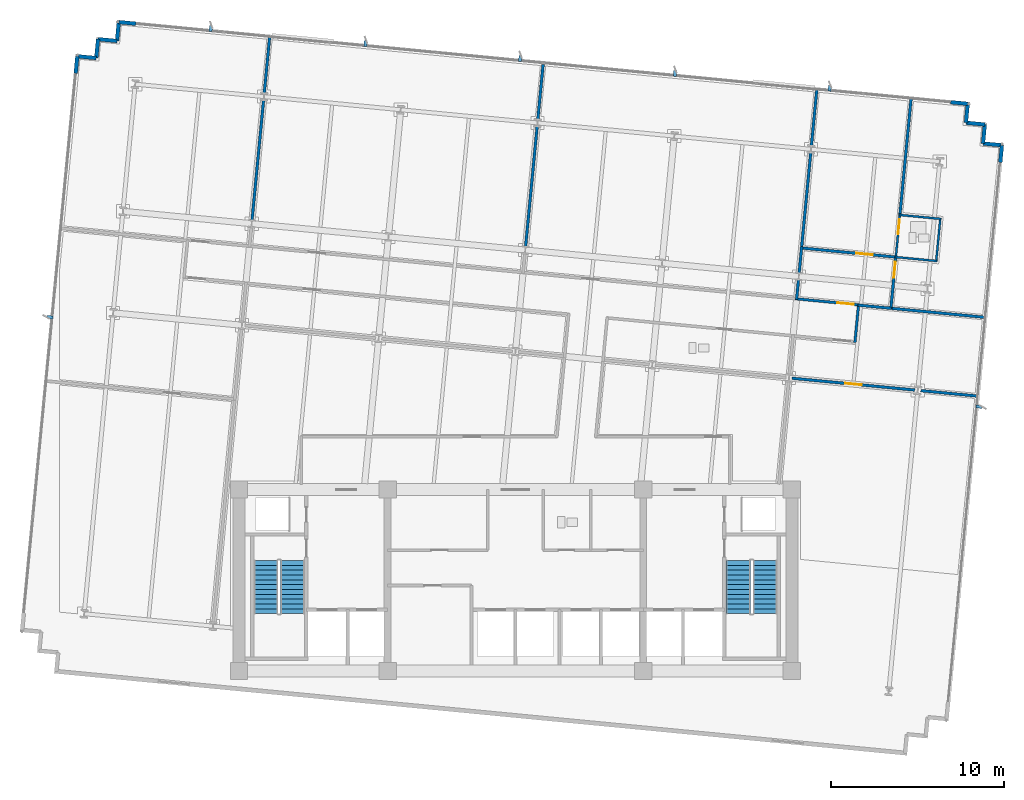
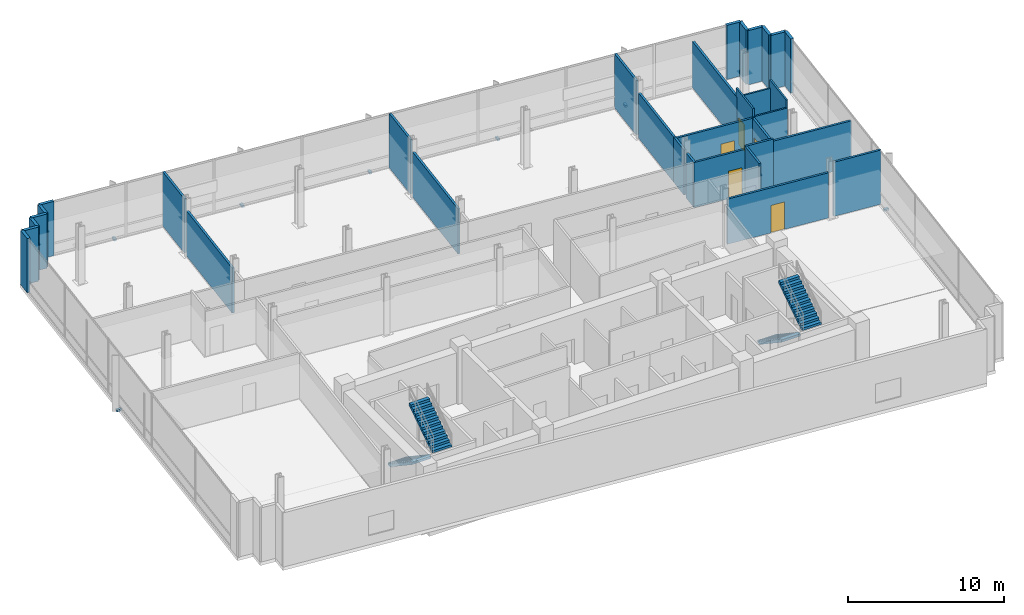
# One storey, part 13 of 17: 33 walls, 7 discrete accessories, 5 doors, 4 stair flights, 5 openings, 2 elements without a shape of their own.
"""IFC4 building model written with IfcOpenShell, lengths in metres."""

from ifc_helpers import new_model, si_unit, direction, frame, frame_2d, origin, origin_2d, place, context, subcontext, project, spatial, polyline, rectangle, outline, extrude, material, layer, layer_set, type_object, element, fill, aggregate, save


model = new_model("IFC4")

# Units and contexts
model_context = context("Model", 3, precision=1e-05, world=origin(), true_north=direction((0.0, 1.0)))
body_context = subcontext(model_context, "Body", "Model", "MODEL_VIEW")
ifc_project = project(units=[si_unit("LENGTHUNIT", "METRE"), si_unit("AREAUNIT", "SQUARE_METRE"), si_unit("VOLUMEUNIT", "CUBIC_METRE"), si_unit("PLANEANGLEUNIT", "RADIAN"), si_unit("MASSUNIT", "GRAM", prefix="KILO")], contexts=[model_context])

# Site, building, storey
site_placement = place(None, origin())
site = spatial("IfcSite", under=ifc_project, at=site_placement, CompositionType="ELEMENT")
building_placement = place(site_placement, origin())
building = spatial("IfcBuilding", under=site, at=building_placement, Name="Solmavex Isthmus Hotel", CompositionType="ELEMENT")
storey_placement = place(building_placement, frame((0.0, 0.0, 177.300048828125)))
storey = spatial("IfcBuildingStorey", under=building, at=storey_placement, Name="L48", CompositionType="ELEMENT", Elevation=177.300048828125)

# Walls
ifc_material_1 = material(Name="Precast Concrete C40/50", Category="concrete")
ifc_layer_1 = layer(ifc_material_1, 0.25)
ifc_layer_set_1 = layer_set([ifc_layer_1], Name="Precast Concrete C40/50")
wall_type_1 = type_object("IfcWallType", Name="EW-TWR-250", PredefinedType="STANDARD", material=ifc_layer_set_1)
wall_1_placement = place(storey_placement, frame((-25.46142578125, 21.60498046875, 0.0), z_axis=(0.0, 0.0, 1.0), x_axis=(0.095937974524, 0.995387314086, 0.0)))
element("IfcWall", 1, at=wall_1_placement, inside=storey, type_object=wall_type_1, Name="Serrated Corner Facade Panel L48-07", PredefinedType="STANDARD", context=body_context, shape_type="SweptSolid", body=[
    extrude(rectangle(XDim=0.989990234375, YDim=0.219970703125, at=frame_2d((0.4951171875, 0.0))), origin(), (0.0, 0.0, 1.0), 4.239990234375),
])
for number, where, z_axis, x_axis, name in (
    (2, (-25.366455078125, 22.59033203125, 0.0), (0.0, 0.0, 1.0), (0.995414313875, -0.095657429048, 0.0), "Serrated Corner Facade Panel L48-08"),
    (3, (-24.271484375, 22.485107421875, 0.0), (0.0, 0.0, 1.0), (0.095657429048, 0.995414313875, 0.0), "Serrated Corner Facade Panel L48-09"),
    (4, (-24.166259765625, 23.580078125, 0.0), (0.0, 0.0, 1.0), (0.995393156894, -0.095877334176, 0.0), "Serrated Corner Facade Panel L48-10"),
    (5, (-23.0712890625, 23.474609375, 0.0), (0.0, 0.0, 1.0), (0.095877334176, 0.995393156894, 0.0), "Serrated Corner Facade Panel L48-11"),
):
    element("IfcWall", number, at=place(storey_placement, frame(where, z_axis=z_axis, x_axis=x_axis)), inside=storey, type_object=wall_type_1, Name=name, PredefinedType="STANDARD", context=body_context, shape_type="SweptSolid", body=[
        extrude(rectangle(XDim=1.10009765625, YDim=0.219970703125, at=frame_2d((0.550048828125, 0.0))), origin(), (0.0, 0.0, 1.0), 4.239990234375),
    ])
for number, where, z_axis, x_axis, name in (
    (6, (-22.9658203125, 24.569580078125, 0.0), (0.0, 0.0, 1.0), (0.995387314086, -0.095937974524, 0.0), "Serrated Corner Facade Panel L48-12"),
    (7, (25.201416015625, 19.931396484375, 0.0), (0.0, 0.0, 1.0), (0.99541083642, -0.095693608655, 0.0), "Serrated Corner Facade Panel L48-14"),
):
    element("IfcWall", number, at=place(storey_placement, frame(where, z_axis=z_axis, x_axis=x_axis)), inside=storey, type_object=wall_type_1, Name=name, PredefinedType="STANDARD", context=body_context, shape_type="SweptSolid", body=[
        extrude(rectangle(XDim=0.989990234375, YDim=0.219970703125, at=frame_2d((0.4951171875, 0.0))), origin(), (0.0, 0.0, 1.0), 4.239990234375),
    ])
wall_2_placement = place(storey_placement, frame((26.186767578125, 19.836669921875, 0.0), z_axis=(0.0, 0.0, 1.0), x_axis=(-0.095657429048, -0.995414313875, 0.0)))
element("IfcWall", 8, at=wall_2_placement, inside=storey, type_object=wall_type_1, Name="Serrated Corner Facade Panel L48-15", PredefinedType="STANDARD", context=body_context, shape_type="SweptSolid", body=[
    extrude(rectangle(XDim=1.10009765625, YDim=0.219970703125, at=frame_2d((0.550048828125, 0.0))), origin(), (0.0, 0.0, 1.0), 4.239990234375),
])
wall_3_placement = place(storey_placement, frame((26.08154296875, 18.74169921875, 0.0), z_axis=(0.0, 0.0, 1.0), x_axis=(0.995391116058, -0.095898519656, 0.0)))
element("IfcWall", 9, at=wall_3_placement, inside=storey, type_object=wall_type_1, Name="Serrated Corner Facade Panel L48-16", PredefinedType="STANDARD", context=body_context, shape_type="SweptSolid", body=[
    extrude(rectangle(XDim=1.099853515625, YDim=0.219970703125, at=frame_2d((0.5498046875, 0.0))), origin(), (0.0, 0.0, 1.0), 4.239990234375),
])
wall_4_placement = place(storey_placement, frame((27.17626953125, 18.63623046875, 0.0), z_axis=(0.0, 0.0, 1.0), x_axis=(-0.095657429048, -0.995414313875, 0.0)))
element("IfcWall", 10, at=wall_4_placement, inside=storey, type_object=wall_type_1, Name="Serrated Corner Facade Panel L48-17", PredefinedType="STANDARD", context=body_context, shape_type="SweptSolid", body=[
    extrude(rectangle(XDim=1.10009765625, YDim=0.219970703125, at=frame_2d((0.550048828125, 0.0))), origin(), (0.0, 0.0, 1.0), 4.239990234375),
])
wall_5_placement = place(storey_placement, frame((27.071044921875, 17.541259765625, 0.0), z_axis=(0.0, 0.0, 1.0), x_axis=(0.995391116058, -0.095898519656, 0.0)))
element("IfcWall", 11, at=wall_5_placement, inside=storey, type_object=wall_type_1, Name="Serrated Corner Facade Panel L48-18", PredefinedType="STANDARD", context=body_context, shape_type="SweptSolid", body=[
    extrude(rectangle(XDim=1.099853515625, YDim=0.219970703125, at=frame_2d((0.5498046875, 0.0))), origin(), (0.0, 0.0, 1.0), 4.239990234375),
])
wall_6_placement = place(storey_placement, frame((28.165771484375, 17.435791015625, 0.0), z_axis=(0.0, 0.0, 1.0), x_axis=(-0.095693608655, -0.99541083642, 0.0)))
element("IfcWall", 12, at=wall_6_placement, inside=storey, type_object=wall_type_1, Name="Serrated Corner Facade Panel L48-19", PredefinedType="STANDARD", context=body_context, shape_type="SweptSolid", body=[
    extrude(rectangle(XDim=0.989990234375, YDim=0.219970703125, at=frame_2d((0.4951171875, 0.0))), origin(), (0.0, 0.0, 1.0), 4.239990234375),
])
ifc_material_2 = material(Name="Gypsum plasterboard lining", Category="gypsum")
ifc_layer_2 = layer(ifc_material_2, 0.159912109375)
ifc_layer_set_2 = layer_set([ifc_layer_2], Name="Gypsum plasterboard lining")
wall_type_2 = type_object("IfcWallType", Name="IW-COMP-160", PredefinedType="PARTITIONING", material=ifc_layer_set_2)
wall_7_placement = place(storey_placement, frame((-14.57958984375, 20.0791015625, 0.0), z_axis=(0.0, 0.0, 1.0), x_axis=(-0.095849846802, -0.995395804124, 0.0)))
element("IfcWall", 13, at=wall_7_placement, inside=storey, type_object=wall_type_2, Name="Interior Partition Wall W-L48-P020", PredefinedType="PARTITIONING", context=body_context, shape_type="SweptSolid", body=[
    extrude(rectangle(XDim=7.040283203125, YDim=0.159912109375, at=frame_2d((3.52001953125, 0.0))), origin(), (0.0, 0.0, 1.0), 3.529541015625),
])
wall_8_placement = place(storey_placement, frame((-14.225341796875, 23.758056640625, 0.0), z_axis=(0.0, 0.0, 1.0), x_axis=(-0.095859866796, -0.995394839216, 0.0)))
element("IfcWall", 14, at=wall_8_placement, inside=storey, type_object=wall_type_2, Name="Interior Partition Wall W-L48-P021", PredefinedType="PARTITIONING", context=body_context, shape_type="SweptSolid", body=[
    extrude(rectangle(XDim=3.343994140625, YDim=0.159912109375, at=frame_2d((1.671875, 0.0))), origin(), (0.0, 0.0, 1.0), 4.239990234375),
])
wall_9_placement = place(storey_placement, frame((1.259033203125, 18.553955078125, 0.0), z_axis=(0.0, 0.0, 1.0), x_axis=(-0.095818794798, -0.995398793732, 0.0)))
element("IfcWall", 15, at=wall_9_placement, inside=storey, type_object=wall_type_2, Name="Interior Partition Wall W-L48-P024", PredefinedType="PARTITIONING", context=body_context, shape_type="SweptSolid", body=[
    extrude(rectangle(XDim=7.0400390625, YDim=0.159912109375, at=frame_2d((3.52001953125, 0.0))), origin(), (0.0, 0.0, 1.0), 3.529541015625),
])
wall_10_placement = place(storey_placement, frame((1.601806640625, 22.113525390625, 0.0), z_axis=(0.0, 0.0, 1.0), x_axis=(-0.095791766065, -0.995401395194, 0.0)))
element("IfcWall", 16, at=wall_10_placement, inside=storey, type_object=wall_type_2, Name="Interior Partition Wall W-L48-P025", PredefinedType="PARTITIONING", context=body_context, shape_type="SweptSolid", body=[
    extrude(rectangle(XDim=3.22412109375, YDim=0.159912109375, at=frame_2d((1.612060546875, 0.0))), origin(), (0.0, 0.0, 1.0), 4.239990234375),
])
wall_11_placement = place(storey_placement, frame((16.389404296875, 9.6708984375, 0.0), z_axis=(0.0, 0.0, 1.0), x_axis=(-0.095811626391, -0.995399483749, 0.0)))
element("IfcWall", 17, at=wall_11_placement, inside=storey, type_object=wall_type_2, Name="Interior Partition Wall W-L48-P026", PredefinedType="PARTITIONING", context=body_context, shape_type="SweptSolid", body=[
    extrude(rectangle(XDim=1.172119140625, YDim=0.159912109375, at=frame_2d((0.5859375, 0.0))), origin(), (0.0, 0.0, 1.0), 3.529541015625),
])
wall_12_placement = place(storey_placement, frame((16.572265625, 11.570068359375, 0.0), z_axis=(0.0, 0.0, 1.0), x_axis=(-0.095867871334, -0.99539406832, 0.0)))
element("IfcWall", 18, at=wall_12_placement, inside=storey, type_object=wall_type_2, Name="Interior Partition Wall W-L48-P027", PredefinedType="PARTITIONING", context=body_context, shape_type="SweptSolid", body=[
    extrude(rectangle(XDim=1.555908203125, YDim=0.159912109375, at=frame_2d((0.77783203125, 0.0))), origin(), (0.0, 0.0, 1.0), 3.529541015625),
])
wall_13_placement = place(storey_placement, frame((17.097900390625, 17.02880859375, 0.0), z_axis=(0.0, 0.0, 1.0), x_axis=(-0.095831010877, -0.995397617716, 0.0)))
element("IfcWall", 19, at=wall_13_placement, inside=storey, type_object=wall_type_2, Name="Interior Partition Wall W-L48-P028", PredefinedType="PARTITIONING", context=body_context, shape_type="SweptSolid", body=[
    extrude(rectangle(XDim=5.64794921875, YDim=0.159912109375, at=frame_2d((2.823974609375, 0.0))), origin(), (0.0, 0.0, 1.0), 3.529541015625),
])
wall_14_placement = place(storey_placement, frame((17.4521484375, 20.707763671875, 0.0), z_axis=(0.0, 0.0, 1.0), x_axis=(-0.095859866796, -0.995394839216, 0.0)))
element("IfcWall", 20, at=wall_14_placement, inside=storey, type_object=wall_type_2, Name="Interior Partition Wall W-L48-P029", PredefinedType="PARTITIONING", context=body_context, shape_type="SweptSolid", body=[
    extrude(rectangle(XDim=3.343994140625, YDim=0.159912109375, at=frame_2d((1.671875, 0.0))), origin(), (0.0, 0.0, 1.0), 4.239990234375),
])

# Wall, opening, door
wall_15_placement = place(storey_placement, frame((16.524658203125, 11.4921875, 0.0), z_axis=(0.0, 0.0, 1.0), x_axis=(0.995397525562, -0.095831968077, 0.0)))
wall_15 = element("IfcWall", 21, at=wall_15_placement, inside=storey, type_object=wall_type_2, Name="Interior Partition Wall W-L48-P030", PredefinedType="PARTITIONING", context=body_context, shape_type="SweptSolid", body=[
    extrude(rectangle(XDim=5.56396484375, YDim=0.159912109375, at=frame_2d((2.781982421875, 0.0))), origin(), (0.0, 0.0, 1.0), 3.529541015625),
])
opening_1_placement = place(wall_15_placement, frame((3.228271484375, 0.0, 0.0)))
opening_1 = element("IfcOpeningElement", 22, at=opening_1_placement, cuts=wall_15, Name="Opening ID-C095", PredefinedType="OPENING", context=body_context, shape_type="SweptSolid", body=[
    extrude(rectangle(XDim=0.949951171875, YDim=2.14990234375, at=frame_2d((0.47509765625, 1.074951171875))), frame((0.0, 0.08984375, 0.0), z_axis=(0.0, -1.0, 0.0), x_axis=(1.0, 0.0, 0.0)), (0.0, 0.0, 1.0), 0.179931640625),
])
ifc_material_3 = material(Name="Hardwood timber", Category="wood")
door_type_1 = type_object("IfcDoorType", Name="IDR-FD60-0950", OperationType="NOTDEFINED", PredefinedType="DOOR", material=ifc_material_3)
door_1_placement = place(opening_1_placement, origin())
door_1 = element("IfcDoor", 23, at=door_1_placement, inside=storey, type_object=door_type_1, Name="Thermal Spa Suite Master Bedroom Door L48-05", OperationType="SINGLE_SWING_LEFT", OverallHeight=2.14990234375, OverallWidth=0.949951171875, PredefinedType="DOOR", context=body_context, shape_type="SweptSolid", body=[
    extrude(rectangle(XDim=0.949951171875, YDim=2.14990234375, at=frame_2d((0.47509765625, 1.074951171875))), frame((0.0, 0.02490234375, 0.0), z_axis=(0.0, -1.0, 0.0), x_axis=(1.0, 0.0, 0.0)), (0.0, 0.0, 1.0), 0.050048828125),
])
fill(opening_1, door_1)

wall_16_placement = place(storey_placement, frame((22.027099609375, 11.002685546875, 0.0), z_axis=(0.0, 0.0, 1.0), x_axis=(-0.095882784004, -0.995392631946, 0.0)))
wall_16 = element("IfcWall", 24, at=wall_16_placement, inside=storey, type_object=wall_type_2, Name="Interior Partition Wall W-L48-P031", PredefinedType="PARTITIONING", context=body_context, shape_type="SweptSolid", body=[
    extrude(rectangle(XDim=3.05810546875, YDim=0.159912109375, at=frame_2d((1.529052734375, 0.0))), origin(), (0.0, 0.0, 1.0), 3.529541015625),
])
opening_2_placement = place(wall_16_placement, frame((0.303466796875, 0.0, 0.0)))
opening_2 = element("IfcOpeningElement", 25, at=opening_2_placement, cuts=wall_16, Name="Opening ID-C095", PredefinedType="OPENING", context=body_context, shape_type="SweptSolid", body=[
    extrude(rectangle(XDim=0.949951171875, YDim=2.14990234375, at=frame_2d((0.47509765625, 1.074951171875))), frame((0.0, 0.08984375, 0.0), z_axis=(0.0, -1.0, 0.0), x_axis=(1.0, 0.0, 0.0)), (0.0, 0.0, 1.0), 0.179931640625),
])
door_2_placement = place(opening_2_placement, frame((0.949951171875, 0.0, 0.0), z_axis=(0.0, 0.0, 1.0), x_axis=(-1.0, 0.0, 0.0)))
door_2 = element("IfcDoor", 26, at=door_2_placement, inside=storey, type_object=door_type_1, Name="Thermal Spa Suite Living Lounge Door L48-06", OperationType="SINGLE_SWING_RIGHT", OverallHeight=2.14990234375, OverallWidth=0.949951171875, PredefinedType="DOOR", context=body_context, shape_type="SweptSolid", body=[
    extrude(rectangle(XDim=0.949951171875, YDim=2.14990234375, at=frame_2d((0.47509765625, 1.074951171875))), frame((0.0, 0.02490234375, 0.0), z_axis=(0.0, -1.0, 0.0), x_axis=(1.0, 0.0, 0.0)), (0.0, 0.0, 1.0), 0.050048828125),
])
fill(opening_2, door_2)

# Walls
wall_17_placement = place(storey_placement, frame((21.777587890625, 7.99462890625, 0.0), z_axis=(0.0, 0.0, 1.0), x_axis=(-0.995397179015, 0.09583556756, 0.0)))
element("IfcWall", 27, at=wall_17_placement, inside=storey, type_object=wall_type_2, Name="Interior Partition Wall W-L48-P032", PredefinedType="PARTITIONING", context=body_context, shape_type="SweptSolid", body=[
    extrude(rectangle(XDim=1.964111328125, YDim=0.159912109375, at=frame_2d((0.98193359375, 0.0))), origin(), (0.0, 0.0, 1.0), 3.76806640625),
])
wall_18_placement = place(storey_placement, frame((22.910888671875, 20.18212890625, 0.0), z_axis=(0.0, 0.0, 1.0), x_axis=(-0.09582846932, -0.995397862399, 0.0)))
element("IfcWall", 28, at=wall_18_placement, inside=storey, type_object=wall_type_2, Name="Interior Partition Wall W-L48-P033", PredefinedType="PARTITIONING", context=body_context, shape_type="SweptSolid", body=[
    extrude(rectangle(XDim=6.89404296875, YDim=0.159912109375, at=frame_2d((3.447021484375, 0.0))), origin(), (0.0, 0.0, 1.0), 3.607421875),
])
wall_19_placement = place(storey_placement, frame((27.236328125, 7.468994140625, 0.0), z_axis=(0.0, 0.0, 1.0), x_axis=(-0.995393338962, 0.095875443934, 0.0)))
element("IfcWall", 29, at=wall_19_placement, inside=storey, type_object=wall_type_2, Name="Interior Partition Wall W-L48-P038", PredefinedType="PARTITIONING", context=body_context, shape_type="SweptSolid", body=[
    extrude(rectangle(XDim=5.56396484375, YDim=0.159912109375, at=frame_2d((2.781982421875, 0.0))), origin(), (0.0, 0.0, 1.0), 3.607421875),
])

# Wall, opening, door
wall_20_placement = place(storey_placement, frame((23.118408203125, 3.264404296875, 0.0), z_axis=(0.0, 0.0, 1.0), x_axis=(-0.995397927648, 0.095827791557, 0.0)))
wall_20 = element("IfcWall", 30, at=wall_20_placement, inside=storey, type_object=wall_type_2, Name="Interior Partition Wall W-L48-P042", PredefinedType="PARTITIONING", context=body_context, shape_type="SweptSolid", body=[
    extrude(rectangle(XDim=7.13623046875, YDim=0.159912109375, at=frame_2d((3.568115234375, 0.0))), origin(), (0.0, 0.0, 1.0), 3.529541015625),
])
opening_3_placement = place(wall_20_placement, frame((3.093017578125, 0.0, 0.0)))
opening_3 = element("IfcOpeningElement", 31, at=opening_3_placement, cuts=wall_20, Name="Opening ID-C095", PredefinedType="OPENING", context=body_context, shape_type="SweptSolid", body=[
    extrude(rectangle(XDim=0.949951171875, YDim=2.14990234375, at=frame_2d((0.47509765625, 1.074951171875))), frame((0.0, 0.08984375, 0.0), z_axis=(0.0, -1.0, 0.0), x_axis=(1.0, 0.0, 0.0)), (0.0, 0.0, 1.0), 0.179931640625),
])
door_3_placement = place(opening_3_placement, origin())
door_3 = element("IfcDoor", 32, at=door_3_placement, inside=storey, type_object=door_type_1, Name="Corporate Briefing Office Door L48-13", OperationType="SINGLE_SWING_LEFT", OverallHeight=2.14990234375, OverallWidth=0.949951171875, PredefinedType="DOOR", context=body_context, shape_type="SweptSolid", body=[
    extrude(rectangle(XDim=0.949951171875, YDim=2.14990234375, at=frame_2d((0.47509765625, 1.074951171875))), frame((0.0, 0.02490234375, 0.0), z_axis=(0.0, -1.0, 0.0), x_axis=(1.0, 0.0, 0.0)), (0.0, 0.0, 1.0), 0.050048828125),
])
fill(opening_3, door_3)

# Wall
wall_21_placement = place(storey_placement, frame((26.79736328125, 2.91015625, 0.0), z_axis=(0.0, 0.0, 1.0), x_axis=(-0.995394839216, 0.095859866796, 0.0)))
element("IfcWall", 33, at=wall_21_placement, inside=storey, type_object=wall_type_2, Name="Interior Partition Wall W-L48-P043", PredefinedType="PARTITIONING", context=body_context, shape_type="SweptSolid", body=[
    extrude(rectangle(XDim=3.343994140625, YDim=0.159912109375, at=frame_2d((1.671875, 0.0))), origin(), (0.0, 0.0, 1.0), 4.239990234375),
])

# Wall, opening, door
ifc_layer_3 = layer(ifc_material_2, 0.14990234375)
ifc_layer_set_3 = layer_set([ifc_layer_3], Name="Gypsum plasterboard lining")
wall_type_3 = type_object("IfcWallType", Name="IW-CORR-150", PredefinedType="PARTITIONING", material=ifc_layer_set_3)
wall_22_placement = place(storey_placement, frame((16.19921875, 8.552001953125, 0.0), z_axis=(0.0, 0.0, 1.0), x_axis=(0.995391104887, -0.095898635608, 0.0)))
wall_22 = element("IfcWall", 34, at=wall_22_placement, inside=storey, type_object=wall_type_3, Name="Interior Partition Wall W-L48-P004", PredefinedType="PARTITIONING", context=body_context, shape_type="SweptSolid", body=[
    extrude(rectangle(XDim=3.721923828125, YDim=0.14990234375, at=frame_2d((1.86083984375, 0.0))), origin(), (0.0, 0.0, 1.0), 3.529541015625),
])
opening_4_placement = place(wall_22_placement, frame((2.456787109375, 0.0, 0.0)))
opening_4 = element("IfcOpeningElement", 35, at=opening_4_placement, cuts=wall_22, Name="Opening ID-C095", PredefinedType="OPENING", context=body_context, shape_type="SweptSolid", body=[
    extrude(rectangle(XDim=0.949951171875, YDim=2.14990234375, at=frame_2d((0.47509765625, 1.074951171875))), frame((0.0, 0.0849609375, 0.0), z_axis=(0.0, -1.0, 0.0), x_axis=(1.0, 0.0, 0.0)), (0.0, 0.0, 1.0), 0.169921875),
])
door_4_placement = place(opening_4_placement, frame((0.949951171875, 0.0, 0.0), z_axis=(0.0, 0.0, 1.0), x_axis=(-1.0, 0.0, 0.0)))
door_4 = element("IfcDoor", 36, at=door_4_placement, inside=storey, type_object=door_type_1, Name="Thermal Spa Suite Entrance Hall Door L48-04", OperationType="SINGLE_SWING_RIGHT", OverallHeight=2.14990234375, OverallWidth=0.949951171875, PredefinedType="DOOR", context=body_context, shape_type="SweptSolid", body=[
    extrude(rectangle(XDim=0.949951171875, YDim=2.14990234375, at=frame_2d((0.47509765625, 1.074951171875))), frame((0.0, 0.02490234375, 0.0), z_axis=(0.0, -1.0, 0.0), x_axis=(1.0, 0.0, 0.0)), (0.0, 0.0, 1.0), 0.050048828125),
])
fill(opening_4, door_4)

# Wall
wall_23_placement = place(storey_placement, frame((19.8662109375, 8.218994140625, 0.0), z_axis=(0.0, 0.0, 1.0), x_axis=(-0.095773447772, -0.995403157872, 0.0)))
element("IfcWall", 37, at=wall_23_placement, inside=storey, type_object=wall_type_3, Name="Interior Partition Wall W-L48-P007", PredefinedType="PARTITIONING", context=body_context, shape_type="SweptSolid", body=[
    extrude(rectangle(XDim=2.210205078125, YDim=0.14990234375, at=frame_2d((1.10498046875, 0.0))), origin(), (0.0, 0.0, 1.0), 3.76806640625),
])

# Wall, opening, door
ifc_layer_4 = layer(ifc_material_2, 0.1201171875)
ifc_layer_set_4 = layer_set([ifc_layer_4], Name="Gypsum plasterboard lining")
wall_type_4 = type_object("IfcWallType", Name="IW-PART-120", PredefinedType="PARTITIONING", material=ifc_layer_set_4)
wall_24_placement = place(storey_placement, frame((22.265869140625, 13.483154296875, 0.0), z_axis=(0.0, 0.0, 1.0), x_axis=(-0.09587519517, -0.995393362923, 0.0)))
wall_24 = element("IfcWall", 38, at=wall_24_placement, inside=storey, type_object=wall_type_4, Name="Interior Partition Wall W-L48-P034", PredefinedType="PARTITIONING", context=body_context, shape_type="SweptSolid", body=[
    extrude(rectangle(XDim=2.572021484375, YDim=0.1201171875, at=frame_2d((1.2861328125, 0.0))), origin(), (0.0, 0.0, 1.0), 4.239990234375),
])
opening_5_placement = place(wall_24_placement, frame((0.337646484375, 0.0, 0.0)))
opening_5 = element("IfcOpeningElement", 39, at=opening_5_placement, cuts=wall_24, Name="Opening ID-U085", PredefinedType="OPENING", context=body_context, shape_type="SweptSolid", body=[
    extrude(rectangle(XDim=0.85009765625, YDim=2.10009765625, at=frame_2d((0.425048828125, 1.050048828125))), frame((0.0, 0.070068359375, 0.0), z_axis=(0.0, -1.0, 0.0), x_axis=(1.0, 0.0, 0.0)), (0.0, 0.0, 1.0), 0.14013671875),
])
door_type_2 = type_object("IfcDoorType", Name="IDR-UNR-0850", OperationType="NOTDEFINED", PredefinedType="DOOR", material=ifc_material_3)
door_5_placement = place(opening_5_placement, frame((0.85009765625, 0.0, 0.0), z_axis=(0.0, 0.0, 1.0), x_axis=(-1.0, 0.0, 0.0)))
door_5 = element("IfcDoor", 40, at=door_5_placement, inside=storey, type_object=door_type_2, Name="En-suite Bathroom Door L48-07", OperationType="SINGLE_SWING_LEFT", OverallHeight=2.10009765625, OverallWidth=0.85009765625, PredefinedType="DOOR", context=body_context, shape_type="SweptSolid", body=[
    extrude(rectangle(XDim=0.85009765625, YDim=2.10009765625, at=frame_2d((0.425048828125, 1.050048828125))), frame((0.0, 0.02490234375, 0.0), z_axis=(0.0, -1.0, 0.0), x_axis=(1.0, 0.0, 0.0)), (0.0, 0.0, 1.0), 0.050048828125),
])
fill(opening_5, door_5)

# Walls
wall_25_placement = place(storey_placement, frame((21.9833984375, 10.966552734375, 0.0), z_axis=(0.0, 0.0, 1.0), x_axis=(0.995395581034, -0.095852163552, 0.0)))
element("IfcWall", 41, at=wall_25_placement, inside=storey, type_object=wall_type_4, Name="Interior Partition Wall W-L48-P035", PredefinedType="PARTITIONING", context=body_context, shape_type="SweptSolid", body=[
    extrude(rectangle(XDim=2.429931640625, YDim=0.1201171875, at=frame_2d((1.21484375, 0.0))), origin(), (0.0, 0.0, 1.0), 3.607421875),
])
wall_26_placement = place(storey_placement, frame((24.358642578125, 10.69775390625, 0.0), z_axis=(0.0, 0.0, 1.0), x_axis=(0.095824571015, 0.995398237687, 0.0)))
element("IfcWall", 42, at=wall_26_placement, inside=storey, type_object=wall_type_4, Name="Interior Partition Wall W-L48-P036", PredefinedType="PARTITIONING", context=body_context, shape_type="SweptSolid", body=[
    extrude(rectangle(XDim=2.530029296875, YDim=0.1201171875, at=frame_2d((1.26513671875, 0.0))), origin(), (0.0, 0.0, 1.0), 4.239990234375),
])
wall_27_placement = place(storey_placement, frame((24.636962890625, 13.17236328125, 0.0), z_axis=(0.0, 0.0, 1.0), x_axis=(-0.995395581034, 0.095852163552, 0.0)))
element("IfcWall", 43, at=wall_27_placement, inside=storey, type_object=wall_type_4, Name="Interior Partition Wall W-L48-P037", PredefinedType="PARTITIONING", context=body_context, shape_type="SweptSolid", body=[
    extrude(rectangle(XDim=2.429931640625, YDim=0.1201171875, at=frame_2d((1.21484375, 0.0))), origin(), (0.0, 0.0, 1.0), 3.607421875),
])

# Stair, stair flights
ifc_material_4 = material(Name="Concrete C40/50", Category="concrete")
stair_type_1 = type_object("IfcStairType", Name="STR-ST-1", PredefinedType="HALF_TURN_STAIR", material=ifc_material_4)
stair_1_placement = place(storey_placement, origin())
stair_1 = element("IfcStair", 44, at=stair_1_placement, inside=storey, type_object=stair_type_1, Name="L48 Protected Exit Stair ST-1", PredefinedType="HALF_TURN_STAIR")
stair_flight_type_1 = type_object("IfcStairFlightType", Name="SFL-ST-1", PredefinedType="STRAIGHT", material=ifc_material_4)
stair_flight_1_placement = place(storey_placement, frame((-14.449951171875, -6.60009765625, 0.0), z_axis=(0.0, 0.0, 1.0), x_axis=(0.0, -1.0, 0.0)))
stair_flight_1 = element("IfcStairFlight", 45, at=stair_flight_1_placement, type_object=stair_flight_type_1, Name="ST-1 flight 1", NumberOfRisers=12, NumberOfTreads=11, PredefinedType="STRAIGHT", RiserHeight=0.1875, TreadLength=0.28, context=body_context, shape_type="SweptSolid", body=[
    extrude(outline(polyline([(0.0, 0.0), (0.0, 0.1875), (0.280029296875, 0.1875), (0.280029296875, 0.375), (0.56005859375, 0.375), (0.56005859375, 0.5625), (0.840087890625, 0.5625), (0.840087890625, 0.75), (1.1201171875, 0.75), (1.1201171875, 0.9375), (1.39990234375, 0.9375), (1.39990234375, 1.125), (1.679931640625, 1.125), (1.679931640625, 1.3125), (1.9599609375, 1.3125), (1.9599609375, 1.5), (2.239990234375, 1.5), (2.239990234375, 1.6875), (2.52001953125, 1.6875), (2.52001953125, 1.875), (2.800048828125, 1.875), (2.800048828125, 2.0625), (3.080078125, 2.0625), (3.080078125, 2.25), (3.080078125, 1.882080078125), (0.26953125, 0.0), (0.0, 0.0)])), frame((0.0, 0.699951171875, 0.0), z_axis=(0.0, -1.0, 0.0), x_axis=(1.0, 0.0, 0.0)), (0.0, 0.0, 1.0), 1.39990234375),
])
stair_flight_2_placement = place(storey_placement, frame((-12.89990234375, -9.679931640625, 2.25), z_axis=(0.0, 0.0, 1.0), x_axis=(0.0, 1.0, 0.0)))
stair_flight_2 = element("IfcStairFlight", 46, at=stair_flight_2_placement, type_object=stair_flight_type_1, Name="ST-1 flight 2", NumberOfRisers=12, NumberOfTreads=11, PredefinedType="STRAIGHT", RiserHeight=0.1875, TreadLength=0.28, context=body_context, shape_type="SweptSolid", body=[
    extrude(outline(polyline([(0.0, 0.0), (0.0, 0.1875), (0.280029296875, 0.1875), (0.280029296875, 0.375), (0.56005859375, 0.375), (0.56005859375, 0.5625), (0.840087890625, 0.5625), (0.840087890625, 0.75), (1.1201171875, 0.75), (1.1201171875, 0.9375), (1.39990234375, 0.9375), (1.39990234375, 1.125), (1.679931640625, 1.125), (1.679931640625, 1.3125), (1.9599609375, 1.3125), (1.9599609375, 1.5), (2.239990234375, 1.5), (2.239990234375, 1.6875), (2.52001953125, 1.6875), (2.52001953125, 1.875), (2.800048828125, 1.875), (2.800048828125, 2.0625), (3.080078125, 2.0625), (3.080078125, 2.25), (3.080078125, 1.882080078125), (0.26953125, 0.0), (0.0, 0.0)])), frame((0.0, 0.699951171875, 0.0), z_axis=(0.0, -1.0, 0.0), x_axis=(1.0, 0.0, 0.0)), (0.0, 0.0, 1.0), 1.39990234375),
])
aggregate(stair_1, [stair_flight_1, stair_flight_2])

stair_type_2 = type_object("IfcStairType", Name="STR-ST-2", PredefinedType="HALF_TURN_STAIR", material=ifc_material_4)
stair_2_placement = place(storey_placement, origin())
stair_2 = element("IfcStair", 47, at=stair_2_placement, inside=storey, type_object=stair_type_2, Name="L48 Protected Exit Stair ST-2", PredefinedType="HALF_TURN_STAIR")
stair_flight_type_2 = type_object("IfcStairFlightType", Name="SFL-ST-2", PredefinedType="STRAIGHT", material=ifc_material_4)
stair_flight_3_placement = place(storey_placement, frame((12.89990234375, -6.60009765625, 0.0), z_axis=(0.0, 0.0, 1.0), x_axis=(0.0, -1.0, 0.0)))
stair_flight_3 = element("IfcStairFlight", 48, at=stair_flight_3_placement, type_object=stair_flight_type_2, Name="ST-2 flight 1", NumberOfRisers=12, NumberOfTreads=11, PredefinedType="STRAIGHT", RiserHeight=0.1875, TreadLength=0.28, context=body_context, shape_type="SweptSolid", body=[
    extrude(outline(polyline([(0.0, 0.0), (0.0, 0.1875), (0.280029296875, 0.1875), (0.280029296875, 0.375), (0.56005859375, 0.375), (0.56005859375, 0.5625), (0.840087890625, 0.5625), (0.840087890625, 0.75), (1.1201171875, 0.75), (1.1201171875, 0.9375), (1.39990234375, 0.9375), (1.39990234375, 1.125), (1.679931640625, 1.125), (1.679931640625, 1.3125), (1.9599609375, 1.3125), (1.9599609375, 1.5), (2.239990234375, 1.5), (2.239990234375, 1.6875), (2.52001953125, 1.6875), (2.52001953125, 1.875), (2.800048828125, 1.875), (2.800048828125, 2.0625), (3.080078125, 2.0625), (3.080078125, 2.25), (3.080078125, 1.882080078125), (0.26953125, 0.0), (0.0, 0.0)])), frame((0.0, 0.699951171875, 0.0), z_axis=(0.0, -1.0, 0.0), x_axis=(1.0, 0.0, 0.0)), (0.0, 0.0, 1.0), 1.39990234375),
])
stair_flight_4_placement = place(storey_placement, frame((14.449951171875, -9.679931640625, 2.25), z_axis=(0.0, 0.0, 1.0), x_axis=(0.0, 1.0, 0.0)))
stair_flight_4 = element("IfcStairFlight", 49, at=stair_flight_4_placement, type_object=stair_flight_type_2, Name="ST-2 flight 2", NumberOfRisers=12, NumberOfTreads=11, PredefinedType="STRAIGHT", RiserHeight=0.1875, TreadLength=0.28, context=body_context, shape_type="SweptSolid", body=[
    extrude(outline(polyline([(0.0, 0.0), (0.0, 0.1875), (0.280029296875, 0.1875), (0.280029296875, 0.375), (0.56005859375, 0.375), (0.56005859375, 0.5625), (0.840087890625, 0.5625), (0.840087890625, 0.75), (1.1201171875, 0.75), (1.1201171875, 0.9375), (1.39990234375, 0.9375), (1.39990234375, 1.125), (1.679931640625, 1.125), (1.679931640625, 1.3125), (1.9599609375, 1.3125), (1.9599609375, 1.5), (2.239990234375, 1.5), (2.239990234375, 1.6875), (2.52001953125, 1.6875), (2.52001953125, 1.875), (2.800048828125, 1.875), (2.800048828125, 2.0625), (3.080078125, 2.0625), (3.080078125, 2.25), (3.080078125, 1.882080078125), (0.26953125, 0.0), (0.0, 0.0)])), frame((0.0, 0.699951171875, 0.0), z_axis=(0.0, -1.0, 0.0), x_axis=(1.0, 0.0, 0.0)), (0.0, 0.0, 1.0), 1.39990234375),
])
aggregate(stair_2, [stair_flight_3, stair_flight_4])

# Discrete accessories
ifc_material_5 = material(Name="Steel ASTM A572 Grade 50", Category="steel")
discrete_accessory_type = type_object("IfcDiscreteAccessoryType", Name="ACC-BRK-FIN", PredefinedType="BRACKET", material=ifc_material_5)
for number, where, z_axis, x_axis, name in (
    (50, (-17.637939453125, 24.18701171875, -0.169921875), (0.0, 0.0, 1.0), (0.09584575252, 0.995396198367, 0.0), "Facade Fin Support Bracket L48-N1"),
    (51, (-8.679443359375, 23.324462890625, -0.169921875), (0.0, 0.0, 1.0), (0.09584575252, 0.995396198367, 0.0), "Facade Fin Support Bracket L48-N2"),
    (52, (0.279296875, 22.4619140625, -0.169921875), (0.0, 0.0, 1.0), (0.09584575252, 0.995396198367, 0.0), "Facade Fin Support Bracket L48-N3"),
    (53, (9.23779296875, 21.59912109375, -0.169921875), (0.0, 0.0, 1.0), (0.09584575252, 0.995396198367, 0.0), "Facade Fin Support Bracket L48-N4"),
    (54, (18.1962890625, 20.736572265625, -0.169921875), (0.0, 0.0, 1.0), (0.09584575252, 0.995396198367, 0.0), "Facade Fin Support Bracket L48-N5"),
    (55, (-26.951904296875, 7.48291015625, -0.169921875), (0.0, 0.0, 1.0), (-0.995396198367, 0.09584575252, 0.0), "Facade Fin Support Bracket L48-W1"),
    (56, (26.83935546875, 2.30322265625, -0.169921875), (0.0, 0.0, 1.0), (0.995396198367, -0.09584575252, 0.0), "Facade Fin Support Bracket L48-E1"),
):
    element("IfcDiscreteAccessory", number, at=place(storey_placement, frame(where, z_axis=z_axis, x_axis=x_axis)), inside=storey, type_object=discrete_accessory_type, Name=name, PredefinedType="BRACKET", context=body_context, shape_type="SweptSolid", body=[
        extrude(rectangle(XDim=0.340087890625, YDim=0.179931640625, at=origin_2d()), origin(), (0.0, 0.0, 1.0), 0.159912109375),
    ])

save(model, "model.ifc")
